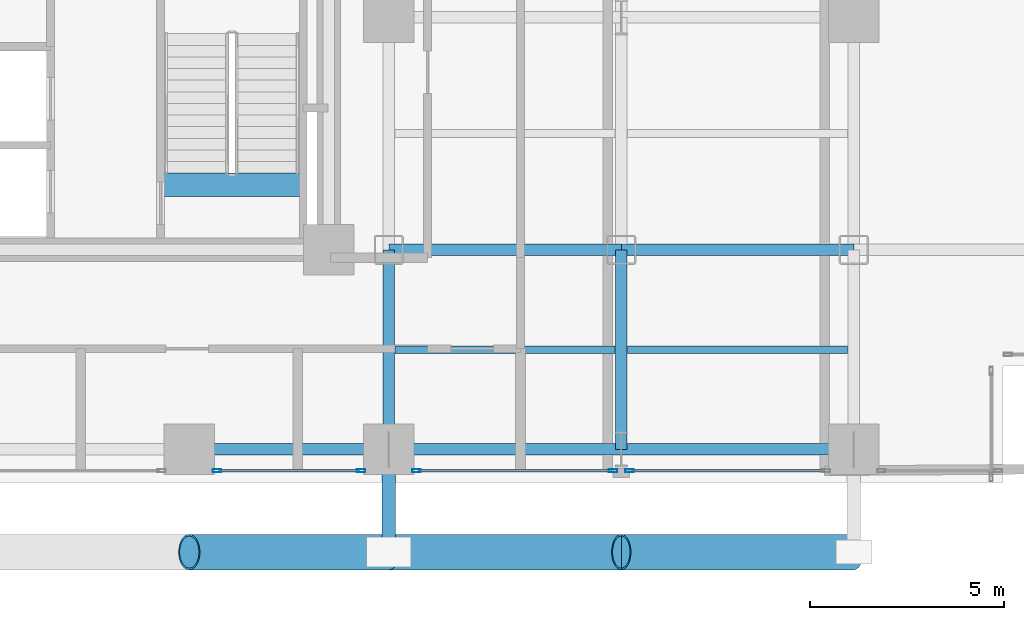
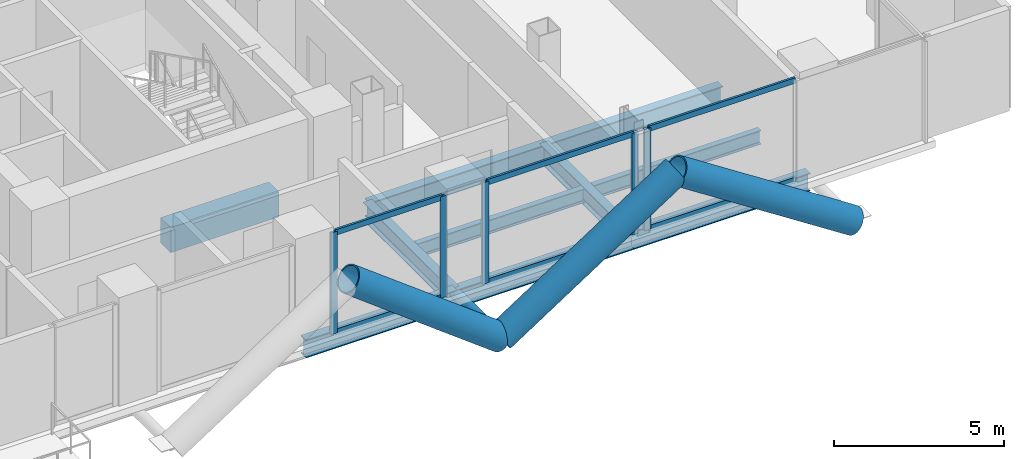
# One storey, part 8 of 25: 15 members, 10 beams, 3 elements without a shape of their own.
"""IFC4 building model written with IfcOpenShell, lengths in metres."""

from ifc_helpers import new_model, si_unit, direction, frame, origin, origin_2d, place, context, subcontext, project, spatial, rectangle, hollow_rectangle, hollow_circle, i_section, extrude, material, layer, layer_set, material_profile, profile_set, type_object, element, aggregate, save


model = new_model("IFC4")

# Units and contexts
model_context = context("Model", 3, precision=1e-05, world=origin(), true_north=direction((0.0, 1.0)))
body_context = subcontext(model_context, "Body", "Model", "MODEL_VIEW")
ifc_project = project(units=[si_unit("LENGTHUNIT", "METRE"), si_unit("AREAUNIT", "SQUARE_METRE"), si_unit("VOLUMEUNIT", "CUBIC_METRE"), si_unit("PLANEANGLEUNIT", "RADIAN"), si_unit("MASSUNIT", "GRAM", prefix="KILO"), si_unit("THERMODYNAMICTEMPERATUREUNIT", "KELVIN"), si_unit("POWERUNIT", "WATT")], contexts=[model_context])

# Site, building, storey
site_placement = place(None, origin())
site = spatial("IfcSite", under=ifc_project, at=site_placement, CompositionType="ELEMENT")
building_placement = place(site_placement, origin())
building = spatial("IfcBuilding", under=site, at=building_placement, Name="Svarakhadi Broadcast Tower", CompositionType="ELEMENT")
storey_placement = place(building_placement, frame((0.0, 0.0, 83.10009765625)))
storey = spatial("IfcBuildingStorey", under=building, at=storey_placement, Name="L19", CompositionType="ELEMENT", Elevation=83.10009765625)

# Beams
ifc_material_1 = material(Name="Steel S355J2 (IS 2062 E350C)", Category="steel")
ifc_material_profile_1 = material_profile(ifc_material_1, i_section(OverallWidth=0.199951171875, OverallDepth=0.5, WebThickness=0.01025390625, FlangeThickness=0.01611328125, FilletRadius=0.02099609375, at=origin_2d()), Name="NPB 500x200x91")
ifc_profile_set_1 = profile_set([ifc_material_profile_1], Name="Steel S355J2 (IS 2062 E350C)")
beam_type_1 = type_object("IfcBeamType", Name="Beam_NPB500", PredefinedType="BEAM", material=ifc_profile_set_1)
for number, where, z_axis, x_axis, name in (
    (1, (35.31005859375, 3.425048828125, -0.5), (1.0, 0.0, 0.0), (0.0, 1.0, 0.0), "L19 Secondary Composite Beam SB022"),
    (2, (41.31005859375, 3.425048828125, -0.5), (1.0, 0.0, 0.0), (0.0, 1.0, 0.0), "L19 Secondary Composite Beam SB025"),
):
    element("IfcBeam", number, at=place(storey_placement, frame(where, z_axis=z_axis, x_axis=x_axis)), inside=storey, type_object=beam_type_1, Name=name, PredefinedType="BEAM", context=body_context, shape_type="SweptSolid", body=[
        extrude(i_section(OverallWidth=0.199951171875, OverallDepth=0.5, WebThickness=0.01025390625, FlangeThickness=0.01611328125, FilletRadius=0.02099609375, at=origin_2d()), origin(), (0.0, 0.0, 1.0), 5.679931640625),
    ])

# Curtain wall, member
ifc_material_2 = material(Name="Anodised Bronze Aluminium AA 6063-T6", Category="aluminium")
ifc_layer = layer(ifc_material_2, 0.219970703125)
ifc_layer_set = layer_set([ifc_layer], Name="Anodised Bronze Aluminium AA 6063-T6")
curtain_wall_type = type_object("IfcCurtainWallType", Name="CW_Sys_02", PredefinedType="NOTDEFINED", material=ifc_layer_set)
curtain_wall_1_placement = place(storey_placement, origin())
curtain_wall_1 = element("IfcCurtainWall", 3, at=curtain_wall_1_placement, inside=storey, type_object=curtain_wall_type, Name="L19 South Curtain Wall 16 Bay 2", PredefinedType="NOTDEFINED")
ifc_material_profile_2 = material_profile(ifc_material_2, hollow_rectangle(XDim=0.0849609375, YDim=0.219970703125, WallThickness=0.006103515625, at=origin_2d()), Name="ALU MULLION 220x85x6")
ifc_profile_set_2 = profile_set([ifc_material_profile_2], Name="Anodised Bronze Aluminium AA 6063-T6")
member_type_1 = type_object("IfcMemberType", Name="CW_Sys_02_Mul", PredefinedType="MULLION", material=ifc_profile_set_2)
member_1_placement = place(storey_placement, frame((41.362548828125, 0.300048828125, 0.0), z_axis=(0.0, 0.0, 1.0), x_axis=(0.0, -1.0, 0.0)))
member_1 = element("IfcMember", 4, at=member_1_placement, type_object=member_type_1, Name="CW-02 mullion 2", PredefinedType="MULLION", context=body_context, shape_type="SweptSolid", body=[
    extrude(hollow_rectangle(XDim=0.0849609375, YDim=0.219970703125, WallThickness=0.006103515625, at=origin_2d()), origin(), (0.0, 0.0, 1.0), 3.64990234375),
])

# Curtain wall, members
curtain_wall_2_placement = place(storey_placement, origin())
curtain_wall_2 = element("IfcCurtainWall", 5, at=curtain_wall_2_placement, inside=storey, type_object=curtain_wall_type, Name="L19 South Curtain Wall 16 Bay 3", PredefinedType="NOTDEFINED")
member_2_placement = place(storey_placement, frame((40.9375, 0.300048828125, 0.0), z_axis=(0.0, 0.0, 1.0), x_axis=(0.0, -1.0, 0.0)))
member_2 = element("IfcMember", 6, at=member_2_placement, type_object=member_type_1, Name="CW-02 mullion 1", PredefinedType="MULLION", context=body_context, shape_type="SweptSolid", body=[
    extrude(hollow_rectangle(XDim=0.0849609375, YDim=0.219970703125, WallThickness=0.006103515625, at=origin_2d()), origin(), (0.0, 0.0, 1.0), 3.64990234375),
])
member_3_placement = place(storey_placement, frame((35.862548828125, 0.300048828125, 0.0), z_axis=(0.0, 0.0, 1.0), x_axis=(0.0, -1.0, 0.0)))
member_3 = element("IfcMember", 7, at=member_3_placement, type_object=member_type_1, Name="CW-02 mullion 2", PredefinedType="MULLION", context=body_context, shape_type="SweptSolid", body=[
    extrude(hollow_rectangle(XDim=0.0849609375, YDim=0.219970703125, WallThickness=0.006103515625, at=origin_2d()), origin(), (0.0, 0.0, 1.0), 3.64990234375),
])

curtain_wall_3_placement = place(storey_placement, origin())
curtain_wall_3 = element("IfcCurtainWall", 8, at=curtain_wall_3_placement, inside=storey, type_object=curtain_wall_type, Name="L19 South Curtain Wall 16 Bay 4", PredefinedType="NOTDEFINED")
member_4_placement = place(storey_placement, frame((34.4375, 0.300048828125, 0.0), z_axis=(0.0, 0.0, 1.0), x_axis=(0.0, -1.0, 0.0)))
member_4 = element("IfcMember", 9, at=member_4_placement, type_object=member_type_1, Name="CW-02 mullion 1", PredefinedType="MULLION", context=body_context, shape_type="SweptSolid", body=[
    extrude(hollow_rectangle(XDim=0.0849609375, YDim=0.219970703125, WallThickness=0.006103515625, at=origin_2d()), origin(), (0.0, 0.0, 1.0), 3.64990234375),
])
member_5_placement = place(storey_placement, frame((30.71240234375, 0.300048828125, 0.0), z_axis=(0.0, 0.0, 1.0), x_axis=(0.0, -1.0, 0.0)))
member_5 = element("IfcMember", 10, at=member_5_placement, type_object=member_type_1, Name="CW-02 mullion 2", PredefinedType="MULLION", context=body_context, shape_type="SweptSolid", body=[
    extrude(hollow_rectangle(XDim=0.0849609375, YDim=0.219970703125, WallThickness=0.006103515625, at=origin_2d()), origin(), (0.0, 0.0, 1.0), 3.64990234375),
])

# Member
ifc_material_profile_3 = material_profile(ifc_material_2, hollow_rectangle(XDim=0.074951171875, YDim=0.199951171875, WallThickness=0.0048828125, at=origin_2d()), Name="ALU TRANSOM 200x75x5")
ifc_profile_set_3 = profile_set([ifc_material_profile_3], Name="Anodised Bronze Aluminium AA 6063-T6")
member_type_2 = type_object("IfcMemberType", Name="CW_Sys_02_Trn", PredefinedType="USERDEFINED", material=ifc_profile_set_3)
member_6_placement = place(storey_placement, frame((46.39501953125, 0.300048828125, 0.037353515625), z_axis=(-1.0, 0.0, 0.0), x_axis=(0.0, -1.0, 0.0)))
member_6 = element("IfcMember", 11, at=member_6_placement, type_object=member_type_2, Name="CW-02 transom 1.1", ObjectType="TRANSOM", PredefinedType="USERDEFINED", context=body_context, shape_type="SweptSolid", body=[
    extrude(hollow_rectangle(XDim=0.074951171875, YDim=0.199951171875, WallThickness=0.0048828125, at=origin_2d()), origin(), (0.0, 0.0, 1.0), 4.989990234375),
])

member_7_placement = place(storey_placement, frame((46.39501953125, 0.300048828125, 3.6123046875), z_axis=(-1.0, 0.0, 0.0), x_axis=(0.0, -1.0, 0.0)))
member_7 = element("IfcMember", 12, at=member_7_placement, type_object=member_type_2, Name="CW-02 transom 1.2", ObjectType="TRANSOM", PredefinedType="USERDEFINED", context=body_context, shape_type="SweptSolid", body=[
    extrude(hollow_rectangle(XDim=0.074951171875, YDim=0.199951171875, WallThickness=0.0048828125, at=origin_2d()), origin(), (0.0, 0.0, 1.0), 4.989990234375),
])

aggregate(curtain_wall_1, [member_1, member_6, member_7])

member_8_placement = place(storey_placement, frame((40.89501953125, 0.300048828125, 0.037353515625), z_axis=(-1.0, 0.0, 0.0), x_axis=(0.0, -1.0, 0.0)))
member_8 = element("IfcMember", 13, at=member_8_placement, type_object=member_type_2, Name="CW-02 transom 1.1", ObjectType="TRANSOM", PredefinedType="USERDEFINED", context=body_context, shape_type="SweptSolid", body=[
    extrude(hollow_rectangle(XDim=0.074951171875, YDim=0.199951171875, WallThickness=0.0048828125, at=origin_2d()), origin(), (0.0, 0.0, 1.0), 4.989990234375),
])

member_9_placement = place(storey_placement, frame((40.89501953125, 0.300048828125, 3.6123046875), z_axis=(-1.0, 0.0, 0.0), x_axis=(0.0, -1.0, 0.0)))
member_9 = element("IfcMember", 14, at=member_9_placement, type_object=member_type_2, Name="CW-02 transom 1.2", ObjectType="TRANSOM", PredefinedType="USERDEFINED", context=body_context, shape_type="SweptSolid", body=[
    extrude(hollow_rectangle(XDim=0.074951171875, YDim=0.199951171875, WallThickness=0.0048828125, at=origin_2d()), origin(), (0.0, 0.0, 1.0), 4.989990234375),
])

aggregate(curtain_wall_2, [member_2, member_3, member_8, member_9])

member_10_placement = place(storey_placement, frame((34.39501953125, 0.300048828125, 0.037353515625), z_axis=(-1.0, 0.0, 0.0), x_axis=(0.0, -1.0, 0.0)))
member_10 = element("IfcMember", 15, at=member_10_placement, type_object=member_type_2, Name="CW-02 transom 1.1", ObjectType="TRANSOM", PredefinedType="USERDEFINED", context=body_context, shape_type="SweptSolid", body=[
    extrude(hollow_rectangle(XDim=0.074951171875, YDim=0.199951171875, WallThickness=0.0048828125, at=origin_2d()), origin(), (0.0, 0.0, 1.0), 3.64013671875),
])

member_11_placement = place(storey_placement, frame((34.39501953125, 0.300048828125, 3.6123046875), z_axis=(-1.0, 0.0, 0.0), x_axis=(0.0, -1.0, 0.0)))
member_11 = element("IfcMember", 16, at=member_11_placement, type_object=member_type_2, Name="CW-02 transom 1.2", ObjectType="TRANSOM", PredefinedType="USERDEFINED", context=body_context, shape_type="SweptSolid", body=[
    extrude(hollow_rectangle(XDim=0.074951171875, YDim=0.199951171875, WallThickness=0.0048828125, at=origin_2d()), origin(), (0.0, 0.0, 1.0), 3.64013671875),
])

aggregate(curtain_wall_3, [member_4, member_5, member_10, member_11])

# Beam
ifc_material_3 = material(Name="Concrete C50/60 (IS 456 M60)", Category="concrete")
ifc_material_profile_4 = material_profile(ifc_material_3, rectangle(XDim=0.60009765625, YDim=0.89990234375, at=origin_2d()), Name="RC 600x900")
ifc_profile_set_4 = profile_set([ifc_material_profile_4], Name="Concrete C50/60 (IS 456 M60)")
beam_type_2 = type_object("IfcBeamType", Name="Coupling_RC600", PredefinedType="USERDEFINED", material=ifc_profile_set_4)
beam_1_placement = place(storey_placement, frame((29.260009765625, 7.679931640625, -0.4501953125), z_axis=(1.0, 0.0, 0.0), x_axis=(0.0, 1.0, 0.0)))
element("IfcBeam", 17, at=beam_1_placement, inside=storey, type_object=beam_type_2, Name="L19 Stair ST-02 Landing Throat Trimmer Beam CB-01", ObjectType="GIRDER", PredefinedType="USERDEFINED", context=body_context, shape_type="SweptSolid", body=[
    extrude(rectangle(XDim=0.60009765625, YDim=0.89990234375, at=origin_2d()), origin(), (0.0, 0.0, 1.0), 3.679931640625),
])

# Members
ifc_material_4 = material(Name="Steel S460ML (IS 2062 E450BR)", Category="steel")
ifc_material_profile_5 = material_profile(ifc_material_4, hollow_circle(Radius=0.45703125, WallThickness=0.044921875, at=origin_2d()), Name="CHS 914x45")
ifc_profile_set_5 = profile_set([ifc_material_profile_5], Name="Steel S460ML (IS 2062 E450BR)")
member_type_3 = type_object("IfcMemberType", Name="Exo_Brace_CHS914", PredefinedType="BRACE", material=ifc_profile_set_5)
member_12_placement = place(storey_placement, frame((35.14990234375, -1.800048828125, -0.427978515625), z_axis=(-0.797188602897, 0.0, 0.603730346605), x_axis=(0.0, -1.0, 0.0)))
element("IfcMember", 18, at=member_12_placement, inside=storey, type_object=member_type_3, Name="L19 Exposed Bronze Exoskeleton Diagonal S02", PredefinedType="BRACE", context=body_context, shape_type="SweptSolid", body=[
    extrude(hollow_circle(Radius=0.45703125, WallThickness=0.044921875, at=origin_2d()), origin(), (0.0, 0.0, 1.0), 6.4599609375),
])
for number, where, z_axis, x_axis, name in (
    (19, (35.14990234375, -1.800048828125, -0.427978515625), (0.838434262763, 0.0, 0.545002740383), (0.0, 1.0, 0.0), "L19 Exposed Bronze Exoskeleton Diagonal S03"),
    (20, (47.14990234375, -1.800048828125, -0.427978515625), (-0.838434262763, 0.0, 0.545002740383), (0.0, -1.0, 0.0), "L19 Exposed Bronze Exoskeleton Diagonal S04"),
):
    element("IfcMember", number, at=place(storey_placement, frame(where, z_axis=z_axis, x_axis=x_axis)), inside=storey, type_object=member_type_3, Name=name, PredefinedType="BRACE", context=body_context, shape_type="SweptSolid", body=[
        extrude(hollow_circle(Radius=0.45703125, WallThickness=0.044921875, at=origin_2d()), origin(), (0.0, 0.0, 1.0), 7.15625),
    ])
ifc_material_profile_6 = material_profile(ifc_material_4, hollow_circle(Radius=0.177734375, WallThickness=0.02001953125, at=origin_2d()), Name="CHS 355.6x20")
ifc_profile_set_6 = profile_set([ifc_material_profile_6], Name="Steel S460ML (IS 2062 E450BR)")
member_type_4 = type_object("IfcMemberType", Name="Exo_Radial_Strut_Z1", PredefinedType="STRUT", material=ifc_profile_set_6)
member_13_placement = place(storey_placement, frame((35.14990234375, -1.800048828125, -0.427978515625), z_axis=(0.0, 1.0, 0.0), x_axis=(-1.0, 0.0, 0.0)))
element("IfcMember", 21, at=member_13_placement, inside=storey, type_object=member_type_4, Name="L19 Exoskeleton Radial Tie Strut S02", PredefinedType="STRUT", context=body_context, shape_type="SweptSolid", body=[
    extrude(hollow_circle(Radius=0.177734375, WallThickness=0.02001953125, at=origin_2d()), origin(), (0.0, 0.0, 1.0), 2.650146484375),
])

# Beams
ifc_material_profile_7 = material_profile(ifc_material_1, i_section(OverallWidth=0.300048828125, OverallDepth=0.64990234375, WebThickness=0.01611328125, FlangeThickness=0.031005859375, FilletRadius=0.027099609375, at=origin_2d()), Name="WPB 650x300x225")
ifc_profile_set_7 = profile_set([ifc_material_profile_7], Name="Steel S355J2 (IS 2062 E350C)")
beam_type_3 = type_object("IfcBeamType", Name="Girder_WPB650", PredefinedType="USERDEFINED", material=ifc_profile_set_7)
beam_2_placement = place(storey_placement, frame((30.0, 0.85009765625, -0.5751953125), z_axis=(1.0, 0.0, 0.0), x_axis=(0.0, 1.0, 0.0)))
element("IfcBeam", 22, at=beam_2_placement, inside=storey, type_object=beam_type_3, Name="L19 Primary E-W Girder G008", ObjectType="GIRDER", PredefinedType="USERDEFINED", context=body_context, shape_type="SweptSolid", body=[
    extrude(i_section(OverallWidth=0.300048828125, OverallDepth=0.64990234375, WebThickness=0.01611328125, FlangeThickness=0.031005859375, FilletRadius=0.027099609375, at=origin_2d()), origin(), (0.0, 0.0, 1.0), 5.14990234375),
])
for number, where, z_axis, x_axis, name in (
    (23, (35.14990234375, 0.85009765625, -0.5751953125), (1.0, 0.0, 0.0), (0.0, 1.0, 0.0), "L19 Primary E-W Girder G009"),
    (24, (41.14990234375, 0.85009765625, -0.5751953125), (1.0, 0.0, 0.0), (0.0, 1.0, 0.0), "L19 Primary E-W Girder G010"),
    (25, (35.14990234375, 6.0, -0.5751953125), (1.0, 0.0, 0.0), (0.0, 1.0, 0.0), "L19 Primary E-W Girder G016"),
    (26, (41.14990234375, 6.0, -0.5751953125), (1.0, 0.0, 0.0), (0.0, 1.0, 0.0), "L19 Primary E-W Girder G017"),
):
    element("IfcBeam", number, at=place(storey_placement, frame(where, z_axis=z_axis, x_axis=x_axis)), inside=storey, type_object=beam_type_3, Name=name, ObjectType="GIRDER", PredefinedType="USERDEFINED", context=body_context, shape_type="SweptSolid", body=[
        extrude(i_section(OverallWidth=0.300048828125, OverallDepth=0.64990234375, WebThickness=0.01611328125, FlangeThickness=0.031005859375, FilletRadius=0.027099609375, at=origin_2d()), origin(), (0.0, 0.0, 1.0), 6.0),
    ])
for number, where, z_axis, x_axis, name in (
    (27, (35.14990234375, 0.85009765625, -0.5751953125), (0.0, 1.0, 0.0), (-1.0, 0.0, 0.0), "L19 Primary N-S Girder G076"),
    (28, (41.14990234375, 0.85009765625, -0.5751953125), (0.0, 1.0, 0.0), (-1.0, 0.0, 0.0), "L19 Primary N-S Girder G079"),
):
    element("IfcBeam", number, at=place(storey_placement, frame(where, z_axis=z_axis, x_axis=x_axis)), inside=storey, type_object=beam_type_3, Name=name, ObjectType="GIRDER", PredefinedType="USERDEFINED", context=body_context, shape_type="SweptSolid", body=[
        extrude(i_section(OverallWidth=0.300048828125, OverallDepth=0.64990234375, WebThickness=0.01611328125, FlangeThickness=0.031005859375, FilletRadius=0.027099609375, at=origin_2d()), origin(), (0.0, 0.0, 1.0), 5.14990234375),
    ])

save(model, "model.ifc")
